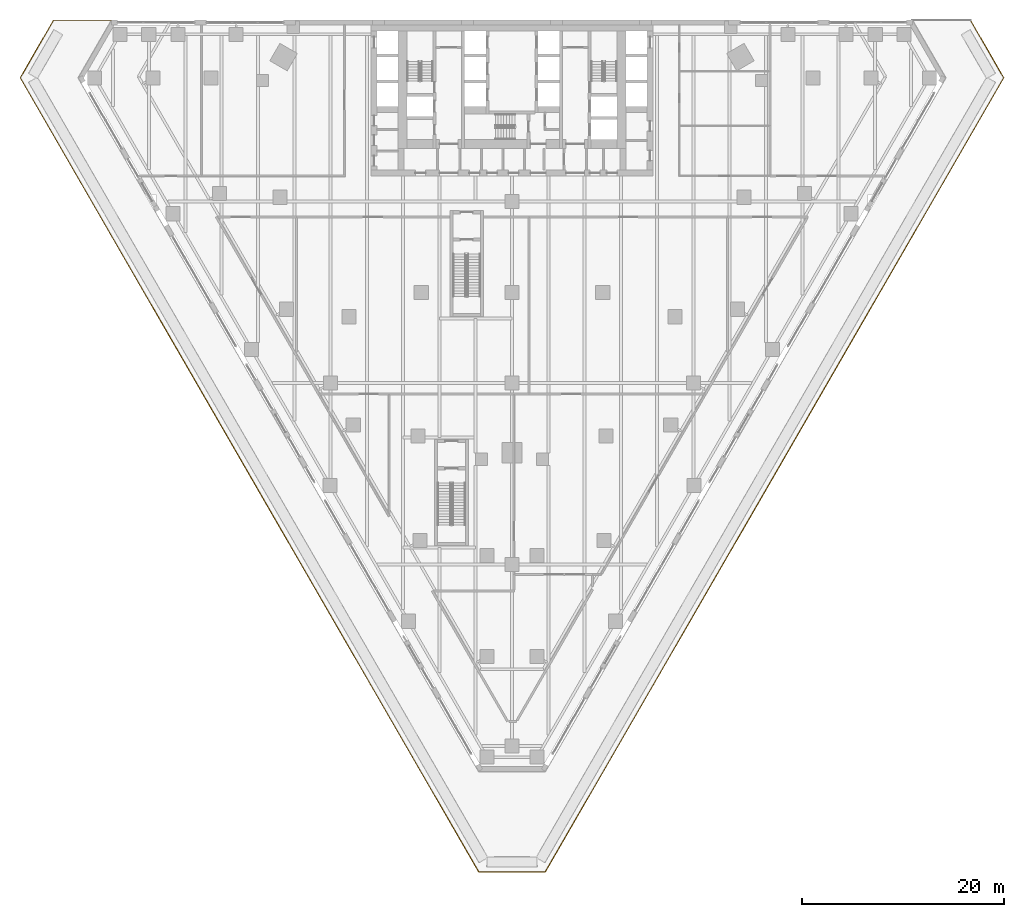
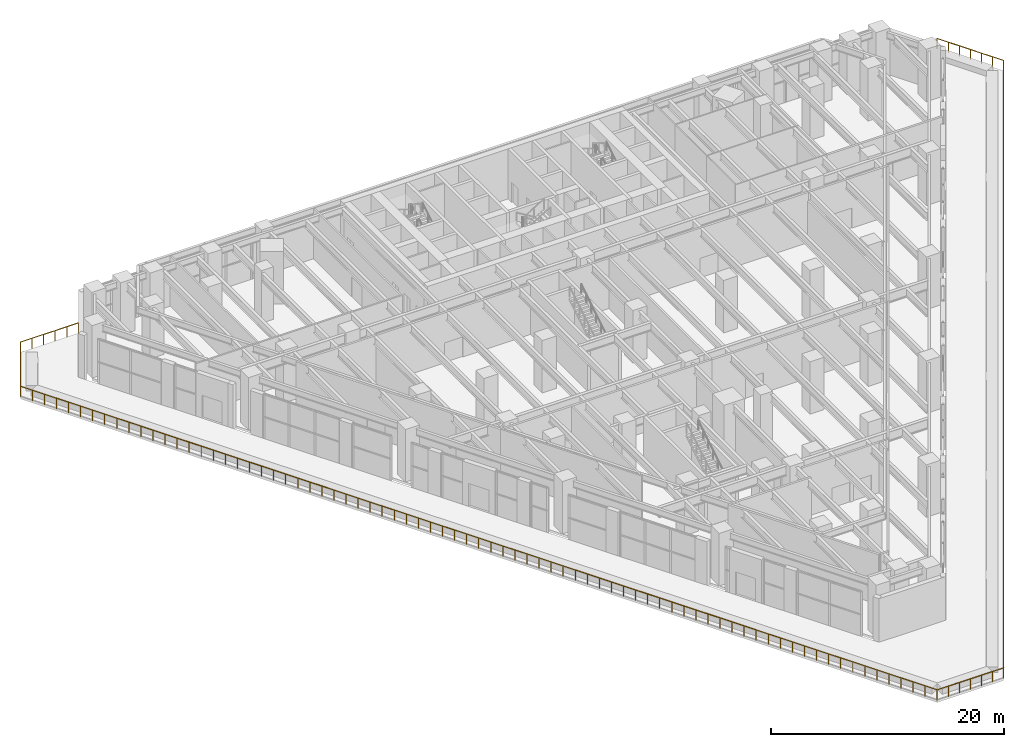
# One storey, part 27 of 30: 1 railing.
"""IFC4 building model written with IfcOpenShell, lengths in metres."""

from ifc_helpers import new_model, si_unit, direction, frame, origin, origin_2d, place, context, subcontext, project, spatial, circle, extrude, material, type_object, element, save


model = new_model("IFC4")

# Units and contexts
model_context = context("Model", 3, precision=1e-05, world=origin(), true_north=direction((0.0, 1.0)))
body_context = subcontext(model_context, "Body", "Model", "MODEL_VIEW")
ifc_project = project(units=[si_unit("LENGTHUNIT", "METRE"), si_unit("AREAUNIT", "SQUARE_METRE"), si_unit("VOLUMEUNIT", "CUBIC_METRE"), si_unit("PLANEANGLEUNIT", "RADIAN"), si_unit("MASSUNIT", "GRAM", prefix="KILO")], contexts=[model_context])

# Site, building, storey
site_placement = place(None, origin())
site = spatial("IfcSite", under=ifc_project, at=site_placement, CompositionType="ELEMENT")
building_placement = place(site_placement, origin())
building = spatial("IfcBuilding", under=site, at=building_placement, Name="Aloe Facet Convention Tower", CompositionType="ELEMENT")
storey_placement = place(building_placement, frame((0.0, 0.0, 19.5)))
storey = spatial("IfcBuildingStorey", under=building, at=storey_placement, Name="L03", CompositionType="ELEMENT", Elevation=19.5)

# Railing
ifc_material = material(Name="Steel S355, bronze oxide finish", Category="steel")
railing_type = type_object("IfcRailingType", Name="EV-GUARD-TERR", PredefinedType="GUARDRAIL", material=ifc_material)
railing_placement = place(storey_placement, frame((125.493896484375, 135.0, 0.0)))
element("IfcRailing", 1, at=railing_placement, inside=storey, type_object=railing_type, Name="GUARD PT-L03-1-1", PredefinedType="GUARDRAIL", context=body_context, shape_type="SweptSolid", body=[
    extrude(circle(Radius=0.02392578125, at=origin_2d()), frame((0.0, 0.0, 1.076171875), z_axis=(0.500002094529, -0.866024194504, 0.0), x_axis=(0.866024194504, 0.500002094529, 0.0)), (0.0, 0.0, 1.0), 6.60009765625),
    extrude(circle(Radius=0.02392578125, at=origin_2d()), frame((3.300048828125, -5.7158203125, 1.076171875), z_axis=(-0.499999469763, -0.866025709916, 0.0), x_axis=(0.866025709916, -0.499999469763, 0.0)), (0.0, 0.0, 1.0), 90.98779296875),
    extrude(circle(Radius=0.02392578125, at=origin_2d()), frame((-42.19384765625, -84.513671875, 1.076171875), z_axis=(-1.0, 0.0, 0.0), x_axis=(0.0, -1.0, 0.0)), (0.0, 0.0, 1.0), 6.60009765625),
    extrude(circle(Radius=0.02392578125, at=origin_2d()), frame((-48.7939453125, -84.513671875, 1.076171875), z_axis=(-0.499999469763, 0.866025709916, 0.0), x_axis=(-0.866025709916, -0.499999469763, 0.0)), (0.0, 0.0, 1.0), 90.98779296875),
    extrude(circle(Radius=0.02392578125, at=origin_2d()), frame((-94.287841796875, -5.7158203125, 1.076171875), z_axis=(0.500002094529, 0.866024194504, 0.0), x_axis=(-0.866024194504, 0.500002094529, 0.0)), (0.0, 0.0, 1.0), 6.60009765625),
    extrude(circle(Radius=0.02392578125, at=origin_2d()), frame((-90.98779296875, 0.0, 1.076171875), z_axis=(1.0, 0.0, 0.0), x_axis=(0.0, 1.0, 0.0)), (0.0, 0.0, 1.0), 5.7734375),
    extrude(circle(Radius=0.02099609375, at=origin_2d()), origin(), (0.0, 0.0, 1.0), 1.052001953125),
    extrude(circle(Radius=0.02099609375, at=origin_2d()), frame((0.550048828125, -0.95263671875, 0.0)), (0.0, 0.0, 1.0), 1.052001953125),
    extrude(circle(Radius=0.02099609375, at=origin_2d()), frame((1.10009765625, -1.9052734375, 0.0)), (0.0, 0.0, 1.0), 1.052001953125),
    extrude(circle(Radius=0.02099609375, at=origin_2d()), frame((1.64990234375, -2.85791015625, 0.0)), (0.0, 0.0, 1.0), 1.052001953125),
    extrude(circle(Radius=0.02099609375, at=origin_2d()), frame((2.199951171875, -3.810546875, 0.0)), (0.0, 0.0, 1.0), 1.052001953125),
    extrude(circle(Radius=0.02099609375, at=origin_2d()), frame((2.75, -4.76318359375, 0.0)), (0.0, 0.0, 1.0), 1.052001953125),
    extrude(circle(Radius=0.02099609375, at=origin_2d()), frame((3.300048828125, -5.7158203125, 0.0)), (0.0, 0.0, 1.0), 1.052001953125),
    extrude(circle(Radius=0.02099609375, at=origin_2d()), frame((2.701416015625, -6.752685546875, 0.0)), (0.0, 0.0, 1.0), 1.052001953125),
    extrude(circle(Radius=0.02099609375, at=origin_2d()), frame((2.102783203125, -7.78955078125, 0.0)), (0.0, 0.0, 1.0), 1.052001953125),
    extrude(circle(Radius=0.02099609375, at=origin_2d()), frame((1.504150390625, -8.826171875, 0.0)), (0.0, 0.0, 1.0), 1.052001953125),
    extrude(circle(Radius=0.02099609375, at=origin_2d()), frame((0.905517578125, -9.863037109375, 0.0)), (0.0, 0.0, 1.0), 1.052001953125),
    extrude(circle(Radius=0.02099609375, at=origin_2d()), frame((0.30712890625, -10.89990234375, 0.0)), (0.0, 0.0, 1.0), 1.052001953125),
    extrude(circle(Radius=0.02099609375, at=origin_2d()), frame((-0.29150390625, -11.936767578125, 0.0)), (0.0, 0.0, 1.0), 1.052001953125),
    extrude(circle(Radius=0.02099609375, at=origin_2d()), frame((-0.89013671875, -12.9736328125, 0.0)), (0.0, 0.0, 1.0), 1.052001953125),
    extrude(circle(Radius=0.02099609375, at=origin_2d()), frame((-1.48876953125, -14.01025390625, 0.0)), (0.0, 0.0, 1.0), 1.052001953125),
    extrude(circle(Radius=0.02099609375, at=origin_2d()), frame((-2.08740234375, -15.047119140625, 0.0)), (0.0, 0.0, 1.0), 1.052001953125),
    extrude(circle(Radius=0.02099609375, at=origin_2d()), frame((-2.68603515625, -16.083984375, 0.0)), (0.0, 0.0, 1.0), 1.052001953125),
    extrude(circle(Radius=0.02099609375, at=origin_2d()), frame((-3.28466796875, -17.120849609375, 0.0)), (0.0, 0.0, 1.0), 1.052001953125),
    extrude(circle(Radius=0.02099609375, at=origin_2d()), frame((-3.88330078125, -18.157470703125, 0.0)), (0.0, 0.0, 1.0), 1.052001953125),
    extrude(circle(Radius=0.02099609375, at=origin_2d()), frame((-4.481689453125, -19.1943359375, 0.0)), (0.0, 0.0, 1.0), 1.052001953125),
    extrude(circle(Radius=0.02099609375, at=origin_2d()), frame((-5.080322265625, -20.231201171875, 0.0)), (0.0, 0.0, 1.0), 1.052001953125),
    extrude(circle(Radius=0.02099609375, at=origin_2d()), frame((-5.678955078125, -21.26806640625, 0.0)), (0.0, 0.0, 1.0), 1.052001953125),
    extrude(circle(Radius=0.02099609375, at=origin_2d()), frame((-6.277587890625, -22.304931640625, 0.0)), (0.0, 0.0, 1.0), 1.052001953125),
    extrude(circle(Radius=0.02099609375, at=origin_2d()), frame((-6.876220703125, -23.341552734375, 0.0)), (0.0, 0.0, 1.0), 1.052001953125),
    extrude(circle(Radius=0.02099609375, at=origin_2d()), frame((-7.474853515625, -24.37841796875, 0.0)), (0.0, 0.0, 1.0), 1.052001953125),
    extrude(circle(Radius=0.02099609375, at=origin_2d()), frame((-8.073486328125, -25.415283203125, 0.0)), (0.0, 0.0, 1.0), 1.052001953125),
    extrude(circle(Radius=0.02099609375, at=origin_2d()), frame((-8.672119140625, -26.4521484375, 0.0)), (0.0, 0.0, 1.0), 1.052001953125),
    extrude(circle(Radius=0.02099609375, at=origin_2d()), frame((-9.270751953125, -27.489013671875, 0.0)), (0.0, 0.0, 1.0), 1.052001953125),
    extrude(circle(Radius=0.02099609375, at=origin_2d()), frame((-9.869140625, -28.525634765625, 0.0)), (0.0, 0.0, 1.0), 1.052001953125),
    extrude(circle(Radius=0.02099609375, at=origin_2d()), frame((-10.4677734375, -29.5625, 0.0)), (0.0, 0.0, 1.0), 1.052001953125),
    extrude(circle(Radius=0.02099609375, at=origin_2d()), frame((-11.06640625, -30.599365234375, 0.0)), (0.0, 0.0, 1.0), 1.052001953125),
    extrude(circle(Radius=0.02099609375, at=origin_2d()), frame((-11.6650390625, -31.63623046875, 0.0)), (0.0, 0.0, 1.0), 1.052001953125),
    extrude(circle(Radius=0.02099609375, at=origin_2d()), frame((-12.263671875, -32.673095703125, 0.0)), (0.0, 0.0, 1.0), 1.052001953125),
    extrude(circle(Radius=0.02099609375, at=origin_2d()), frame((-12.8623046875, -33.709716796875, 0.0)), (0.0, 0.0, 1.0), 1.052001953125),
    extrude(circle(Radius=0.02099609375, at=origin_2d()), frame((-13.4609375, -34.74658203125, 0.0)), (0.0, 0.0, 1.0), 1.052001953125),
    extrude(circle(Radius=0.02099609375, at=origin_2d()), frame((-14.0595703125, -35.783447265625, 0.0)), (0.0, 0.0, 1.0), 1.052001953125),
    extrude(circle(Radius=0.02099609375, at=origin_2d()), frame((-14.657958984375, -36.8203125, 0.0)), (0.0, 0.0, 1.0), 1.052001953125),
    extrude(circle(Radius=0.02099609375, at=origin_2d()), frame((-15.256591796875, -37.85693359375, 0.0)), (0.0, 0.0, 1.0), 1.052001953125),
    extrude(circle(Radius=0.02099609375, at=origin_2d()), frame((-15.855224609375, -38.893798828125, 0.0)), (0.0, 0.0, 1.0), 1.052001953125),
    extrude(circle(Radius=0.02099609375, at=origin_2d()), frame((-16.453857421875, -39.9306640625, 0.0)), (0.0, 0.0, 1.0), 1.052001953125),
    extrude(circle(Radius=0.02099609375, at=origin_2d()), frame((-17.052490234375, -40.967529296875, 0.0)), (0.0, 0.0, 1.0), 1.052001953125),
    extrude(circle(Radius=0.02099609375, at=origin_2d()), frame((-17.651123046875, -42.00439453125, 0.0)), (0.0, 0.0, 1.0), 1.052001953125),
    extrude(circle(Radius=0.02099609375, at=origin_2d()), frame((-18.249755859375, -43.041015625, 0.0)), (0.0, 0.0, 1.0), 1.052001953125),
    extrude(circle(Radius=0.02099609375, at=origin_2d()), frame((-18.848388671875, -44.077880859375, 0.0)), (0.0, 0.0, 1.0), 1.052001953125),
    extrude(circle(Radius=0.02099609375, at=origin_2d()), frame((-19.44677734375, -45.11474609375, 0.0)), (0.0, 0.0, 1.0), 1.052001953125),
    extrude(circle(Radius=0.02099609375, at=origin_2d()), frame((-20.04541015625, -46.151611328125, 0.0)), (0.0, 0.0, 1.0), 1.052001953125),
    extrude(circle(Radius=0.02099609375, at=origin_2d()), frame((-20.64404296875, -47.1884765625, 0.0)), (0.0, 0.0, 1.0), 1.052001953125),
    extrude(circle(Radius=0.02099609375, at=origin_2d()), frame((-21.24267578125, -48.22509765625, 0.0)), (0.0, 0.0, 1.0), 1.052001953125),
    extrude(circle(Radius=0.02099609375, at=origin_2d()), frame((-21.84130859375, -49.261962890625, 0.0)), (0.0, 0.0, 1.0), 1.052001953125),
    extrude(circle(Radius=0.02099609375, at=origin_2d()), frame((-22.43994140625, -50.298828125, 0.0)), (0.0, 0.0, 1.0), 1.052001953125),
    extrude(circle(Radius=0.02099609375, at=origin_2d()), frame((-23.03857421875, -51.335693359375, 0.0)), (0.0, 0.0, 1.0), 1.052001953125),
    extrude(circle(Radius=0.02099609375, at=origin_2d()), frame((-23.63720703125, -52.37255859375, 0.0)), (0.0, 0.0, 1.0), 1.052001953125),
    extrude(circle(Radius=0.02099609375, at=origin_2d()), frame((-24.23583984375, -53.4091796875, 0.0)), (0.0, 0.0, 1.0), 1.052001953125),
    extrude(circle(Radius=0.02099609375, at=origin_2d()), frame((-24.834228515625, -54.446044921875, 0.0)), (0.0, 0.0, 1.0), 1.052001953125),
    extrude(circle(Radius=0.02099609375, at=origin_2d()), frame((-25.432861328125, -55.48291015625, 0.0)), (0.0, 0.0, 1.0), 1.052001953125),
    extrude(circle(Radius=0.02099609375, at=origin_2d()), frame((-26.031494140625, -56.519775390625, 0.0)), (0.0, 0.0, 1.0), 1.052001953125),
    extrude(circle(Radius=0.02099609375, at=origin_2d()), frame((-26.630126953125, -57.556396484375, 0.0)), (0.0, 0.0, 1.0), 1.052001953125),
    extrude(circle(Radius=0.02099609375, at=origin_2d()), frame((-27.228759765625, -58.59326171875, 0.0)), (0.0, 0.0, 1.0), 1.052001953125),
    extrude(circle(Radius=0.02099609375, at=origin_2d()), frame((-27.827392578125, -59.630126953125, 0.0)), (0.0, 0.0, 1.0), 1.052001953125),
    extrude(circle(Radius=0.02099609375, at=origin_2d()), frame((-28.426025390625, -60.6669921875, 0.0)), (0.0, 0.0, 1.0), 1.052001953125),
    extrude(circle(Radius=0.02099609375, at=origin_2d()), frame((-29.024658203125, -61.703857421875, 0.0)), (0.0, 0.0, 1.0), 1.052001953125),
    extrude(circle(Radius=0.02099609375, at=origin_2d()), frame((-29.623046875, -62.740478515625, 0.0)), (0.0, 0.0, 1.0), 1.052001953125),
    extrude(circle(Radius=0.02099609375, at=origin_2d()), frame((-30.2216796875, -63.77734375, 0.0)), (0.0, 0.0, 1.0), 1.052001953125),
    extrude(circle(Radius=0.02099609375, at=origin_2d()), frame((-30.8203125, -64.814208984375, 0.0)), (0.0, 0.0, 1.0), 1.052001953125),
    extrude(circle(Radius=0.02099609375, at=origin_2d()), frame((-31.4189453125, -65.85107421875, 0.0)), (0.0, 0.0, 1.0), 1.052001953125),
    extrude(circle(Radius=0.02099609375, at=origin_2d()), frame((-32.017578125, -66.887939453125, 0.0)), (0.0, 0.0, 1.0), 1.052001953125),
    extrude(circle(Radius=0.02099609375, at=origin_2d()), frame((-32.6162109375, -67.924560546875, 0.0)), (0.0, 0.0, 1.0), 1.052001953125),
    extrude(circle(Radius=0.02099609375, at=origin_2d()), frame((-33.21484375, -68.96142578125, 0.0)), (0.0, 0.0, 1.0), 1.052001953125),
    extrude(circle(Radius=0.02099609375, at=origin_2d()), frame((-33.8134765625, -69.998291015625, 0.0)), (0.0, 0.0, 1.0), 1.052001953125),
    extrude(circle(Radius=0.02099609375, at=origin_2d()), frame((-34.412109375, -71.03515625, 0.0)), (0.0, 0.0, 1.0), 1.052001953125),
    extrude(circle(Radius=0.02099609375, at=origin_2d()), frame((-35.010498046875, -72.072021484375, 0.0)), (0.0, 0.0, 1.0), 1.052001953125),
    extrude(circle(Radius=0.02099609375, at=origin_2d()), frame((-35.609130859375, -73.108642578125, 0.0)), (0.0, 0.0, 1.0), 1.052001953125),
    extrude(circle(Radius=0.02099609375, at=origin_2d()), frame((-36.207763671875, -74.1455078125, 0.0)), (0.0, 0.0, 1.0), 1.052001953125),
    extrude(circle(Radius=0.02099609375, at=origin_2d()), frame((-36.806396484375, -75.182373046875, 0.0)), (0.0, 0.0, 1.0), 1.052001953125),
    extrude(circle(Radius=0.02099609375, at=origin_2d()), frame((-37.405029296875, -76.21923828125, 0.0)), (0.0, 0.0, 1.0), 1.052001953125),
    extrude(circle(Radius=0.02099609375, at=origin_2d()), frame((-38.003662109375, -77.255859375, 0.0)), (0.0, 0.0, 1.0), 1.052001953125),
    extrude(circle(Radius=0.02099609375, at=origin_2d()), frame((-38.602294921875, -78.292724609375, 0.0)), (0.0, 0.0, 1.0), 1.052001953125),
    extrude(circle(Radius=0.02099609375, at=origin_2d()), frame((-39.200927734375, -79.32958984375, 0.0)), (0.0, 0.0, 1.0), 1.052001953125),
    extrude(circle(Radius=0.02099609375, at=origin_2d()), frame((-39.79931640625, -80.366455078125, 0.0)), (0.0, 0.0, 1.0), 1.052001953125),
    extrude(circle(Radius=0.02099609375, at=origin_2d()), frame((-40.39794921875, -81.4033203125, 0.0)), (0.0, 0.0, 1.0), 1.052001953125),
    extrude(circle(Radius=0.02099609375, at=origin_2d()), frame((-40.99658203125, -82.43994140625, 0.0)), (0.0, 0.0, 1.0), 1.052001953125),
    extrude(circle(Radius=0.02099609375, at=origin_2d()), frame((-41.59521484375, -83.476806640625, 0.0)), (0.0, 0.0, 1.0), 1.052001953125),
    extrude(circle(Radius=0.02099609375, at=origin_2d()), frame((-42.19384765625, -84.513671875, 0.0)), (0.0, 0.0, 1.0), 1.052001953125),
    extrude(circle(Radius=0.02099609375, at=origin_2d()), frame((-43.2939453125, -84.513671875, 0.0)), (0.0, 0.0, 1.0), 1.052001953125),
    extrude(circle(Radius=0.02099609375, at=origin_2d()), frame((-44.393798828125, -84.513671875, 0.0)), (0.0, 0.0, 1.0), 1.052001953125),
    extrude(circle(Radius=0.02099609375, at=origin_2d()), frame((-45.493896484375, -84.513671875, 0.0)), (0.0, 0.0, 1.0), 1.052001953125),
    extrude(circle(Radius=0.02099609375, at=origin_2d()), frame((-46.593994140625, -84.513671875, 0.0)), (0.0, 0.0, 1.0), 1.052001953125),
    extrude(circle(Radius=0.02099609375, at=origin_2d()), frame((-47.69384765625, -84.513671875, 0.0)), (0.0, 0.0, 1.0), 1.052001953125),
    extrude(circle(Radius=0.02099609375, at=origin_2d()), frame((-48.7939453125, -84.513671875, 0.0)), (0.0, 0.0, 1.0), 1.052001953125),
    extrude(circle(Radius=0.02099609375, at=origin_2d()), frame((-49.392578125, -83.476806640625, 0.0)), (0.0, 0.0, 1.0), 1.052001953125),
    extrude(circle(Radius=0.02099609375, at=origin_2d()), frame((-49.9912109375, -82.43994140625, 0.0)), (0.0, 0.0, 1.0), 1.052001953125),
    extrude(circle(Radius=0.02099609375, at=origin_2d()), frame((-50.58984375, -81.4033203125, 0.0)), (0.0, 0.0, 1.0), 1.052001953125),
    extrude(circle(Radius=0.02099609375, at=origin_2d()), frame((-51.1884765625, -80.366455078125, 0.0)), (0.0, 0.0, 1.0), 1.052001953125),
    extrude(circle(Radius=0.02099609375, at=origin_2d()), frame((-51.786865234375, -79.32958984375, 0.0)), (0.0, 0.0, 1.0), 1.052001953125),
    extrude(circle(Radius=0.02099609375, at=origin_2d()), frame((-52.385498046875, -78.292724609375, 0.0)), (0.0, 0.0, 1.0), 1.052001953125),
    extrude(circle(Radius=0.02099609375, at=origin_2d()), frame((-52.984130859375, -77.255859375, 0.0)), (0.0, 0.0, 1.0), 1.052001953125),
    extrude(circle(Radius=0.02099609375, at=origin_2d()), frame((-53.582763671875, -76.21923828125, 0.0)), (0.0, 0.0, 1.0), 1.052001953125),
    extrude(circle(Radius=0.02099609375, at=origin_2d()), frame((-54.181396484375, -75.182373046875, 0.0)), (0.0, 0.0, 1.0), 1.052001953125),
    extrude(circle(Radius=0.02099609375, at=origin_2d()), frame((-54.780029296875, -74.1455078125, 0.0)), (0.0, 0.0, 1.0), 1.052001953125),
    extrude(circle(Radius=0.02099609375, at=origin_2d()), frame((-55.378662109375, -73.108642578125, 0.0)), (0.0, 0.0, 1.0), 1.052001953125),
    extrude(circle(Radius=0.02099609375, at=origin_2d()), frame((-55.977294921875, -72.072021484375, 0.0)), (0.0, 0.0, 1.0), 1.052001953125),
    extrude(circle(Radius=0.02099609375, at=origin_2d()), frame((-56.57568359375, -71.03515625, 0.0)), (0.0, 0.0, 1.0), 1.052001953125),
    extrude(circle(Radius=0.02099609375, at=origin_2d()), frame((-57.17431640625, -69.998291015625, 0.0)), (0.0, 0.0, 1.0), 1.052001953125),
    extrude(circle(Radius=0.02099609375, at=origin_2d()), frame((-57.77294921875, -68.96142578125, 0.0)), (0.0, 0.0, 1.0), 1.052001953125),
    extrude(circle(Radius=0.02099609375, at=origin_2d()), frame((-58.37158203125, -67.924560546875, 0.0)), (0.0, 0.0, 1.0), 1.052001953125),
    extrude(circle(Radius=0.02099609375, at=origin_2d()), frame((-58.97021484375, -66.887939453125, 0.0)), (0.0, 0.0, 1.0), 1.052001953125),
    extrude(circle(Radius=0.02099609375, at=origin_2d()), frame((-59.56884765625, -65.85107421875, 0.0)), (0.0, 0.0, 1.0), 1.052001953125),
    extrude(circle(Radius=0.02099609375, at=origin_2d()), frame((-60.16748046875, -64.814208984375, 0.0)), (0.0, 0.0, 1.0), 1.052001953125),
    extrude(circle(Radius=0.02099609375, at=origin_2d()), frame((-60.76611328125, -63.77734375, 0.0)), (0.0, 0.0, 1.0), 1.052001953125),
    extrude(circle(Radius=0.02099609375, at=origin_2d()), frame((-61.36474609375, -62.740478515625, 0.0)), (0.0, 0.0, 1.0), 1.052001953125),
    extrude(circle(Radius=0.02099609375, at=origin_2d()), frame((-61.963134765625, -61.703857421875, 0.0)), (0.0, 0.0, 1.0), 1.052001953125),
    extrude(circle(Radius=0.02099609375, at=origin_2d()), frame((-62.561767578125, -60.6669921875, 0.0)), (0.0, 0.0, 1.0), 1.052001953125),
    extrude(circle(Radius=0.02099609375, at=origin_2d()), frame((-63.160400390625, -59.630126953125, 0.0)), (0.0, 0.0, 1.0), 1.052001953125),
    extrude(circle(Radius=0.02099609375, at=origin_2d()), frame((-63.759033203125, -58.59326171875, 0.0)), (0.0, 0.0, 1.0), 1.052001953125),
    extrude(circle(Radius=0.02099609375, at=origin_2d()), frame((-64.357666015625, -57.556396484375, 0.0)), (0.0, 0.0, 1.0), 1.052001953125),
    extrude(circle(Radius=0.02099609375, at=origin_2d()), frame((-64.956298828125, -56.519775390625, 0.0)), (0.0, 0.0, 1.0), 1.052001953125),
    extrude(circle(Radius=0.02099609375, at=origin_2d()), frame((-65.554931640625, -55.48291015625, 0.0)), (0.0, 0.0, 1.0), 1.052001953125),
    extrude(circle(Radius=0.02099609375, at=origin_2d()), frame((-66.153564453125, -54.446044921875, 0.0)), (0.0, 0.0, 1.0), 1.052001953125),
    extrude(circle(Radius=0.02099609375, at=origin_2d()), frame((-66.751953125, -53.4091796875, 0.0)), (0.0, 0.0, 1.0), 1.052001953125),
    extrude(circle(Radius=0.02099609375, at=origin_2d()), frame((-67.3505859375, -52.37255859375, 0.0)), (0.0, 0.0, 1.0), 1.052001953125),
    extrude(circle(Radius=0.02099609375, at=origin_2d()), frame((-67.94921875, -51.335693359375, 0.0)), (0.0, 0.0, 1.0), 1.052001953125),
    extrude(circle(Radius=0.02099609375, at=origin_2d()), frame((-68.5478515625, -50.298828125, 0.0)), (0.0, 0.0, 1.0), 1.052001953125),
    extrude(circle(Radius=0.02099609375, at=origin_2d()), frame((-69.146484375, -49.261962890625, 0.0)), (0.0, 0.0, 1.0), 1.052001953125),
    extrude(circle(Radius=0.02099609375, at=origin_2d()), frame((-69.7451171875, -48.22509765625, 0.0)), (0.0, 0.0, 1.0), 1.052001953125),
    extrude(circle(Radius=0.02099609375, at=origin_2d()), frame((-70.34375, -47.1884765625, 0.0)), (0.0, 0.0, 1.0), 1.052001953125),
    extrude(circle(Radius=0.02099609375, at=origin_2d()), frame((-70.9423828125, -46.151611328125, 0.0)), (0.0, 0.0, 1.0), 1.052001953125),
    extrude(circle(Radius=0.02099609375, at=origin_2d()), frame((-71.541015625, -45.11474609375, 0.0)), (0.0, 0.0, 1.0), 1.052001953125),
    extrude(circle(Radius=0.02099609375, at=origin_2d()), frame((-72.139404296875, -44.077880859375, 0.0)), (0.0, 0.0, 1.0), 1.052001953125),
    extrude(circle(Radius=0.02099609375, at=origin_2d()), frame((-72.738037109375, -43.041015625, 0.0)), (0.0, 0.0, 1.0), 1.052001953125),
    extrude(circle(Radius=0.02099609375, at=origin_2d()), frame((-73.336669921875, -42.00439453125, 0.0)), (0.0, 0.0, 1.0), 1.052001953125),
    extrude(circle(Radius=0.02099609375, at=origin_2d()), frame((-73.935302734375, -40.967529296875, 0.0)), (0.0, 0.0, 1.0), 1.052001953125),
    extrude(circle(Radius=0.02099609375, at=origin_2d()), frame((-74.533935546875, -39.9306640625, 0.0)), (0.0, 0.0, 1.0), 1.052001953125),
    extrude(circle(Radius=0.02099609375, at=origin_2d()), frame((-75.132568359375, -38.893798828125, 0.0)), (0.0, 0.0, 1.0), 1.052001953125),
    extrude(circle(Radius=0.02099609375, at=origin_2d()), frame((-75.731201171875, -37.85693359375, 0.0)), (0.0, 0.0, 1.0), 1.052001953125),
    extrude(circle(Radius=0.02099609375, at=origin_2d()), frame((-76.329833984375, -36.8203125, 0.0)), (0.0, 0.0, 1.0), 1.052001953125),
    extrude(circle(Radius=0.02099609375, at=origin_2d()), frame((-76.92822265625, -35.783447265625, 0.0)), (0.0, 0.0, 1.0), 1.052001953125),
    extrude(circle(Radius=0.02099609375, at=origin_2d()), frame((-77.52685546875, -34.74658203125, 0.0)), (0.0, 0.0, 1.0), 1.052001953125),
    extrude(circle(Radius=0.02099609375, at=origin_2d()), frame((-78.12548828125, -33.709716796875, 0.0)), (0.0, 0.0, 1.0), 1.052001953125),
    extrude(circle(Radius=0.02099609375, at=origin_2d()), frame((-78.72412109375, -32.673095703125, 0.0)), (0.0, 0.0, 1.0), 1.052001953125),
    extrude(circle(Radius=0.02099609375, at=origin_2d()), frame((-79.32275390625, -31.63623046875, 0.0)), (0.0, 0.0, 1.0), 1.052001953125),
    extrude(circle(Radius=0.02099609375, at=origin_2d()), frame((-79.92138671875, -30.599365234375, 0.0)), (0.0, 0.0, 1.0), 1.052001953125),
    extrude(circle(Radius=0.02099609375, at=origin_2d()), frame((-80.52001953125, -29.5625, 0.0)), (0.0, 0.0, 1.0), 1.052001953125),
    extrude(circle(Radius=0.02099609375, at=origin_2d()), frame((-81.11865234375, -28.525634765625, 0.0)), (0.0, 0.0, 1.0), 1.052001953125),
    extrude(circle(Radius=0.02099609375, at=origin_2d()), frame((-81.717041015625, -27.489013671875, 0.0)), (0.0, 0.0, 1.0), 1.052001953125),
    extrude(circle(Radius=0.02099609375, at=origin_2d()), frame((-82.315673828125, -26.4521484375, 0.0)), (0.0, 0.0, 1.0), 1.052001953125),
    extrude(circle(Radius=0.02099609375, at=origin_2d()), frame((-82.914306640625, -25.415283203125, 0.0)), (0.0, 0.0, 1.0), 1.052001953125),
    extrude(circle(Radius=0.02099609375, at=origin_2d()), frame((-83.512939453125, -24.37841796875, 0.0)), (0.0, 0.0, 1.0), 1.052001953125),
    extrude(circle(Radius=0.02099609375, at=origin_2d()), frame((-84.111572265625, -23.341552734375, 0.0)), (0.0, 0.0, 1.0), 1.052001953125),
    extrude(circle(Radius=0.02099609375, at=origin_2d()), frame((-84.710205078125, -22.304931640625, 0.0)), (0.0, 0.0, 1.0), 1.052001953125),
    extrude(circle(Radius=0.02099609375, at=origin_2d()), frame((-85.308837890625, -21.26806640625, 0.0)), (0.0, 0.0, 1.0), 1.052001953125),
    extrude(circle(Radius=0.02099609375, at=origin_2d()), frame((-85.907470703125, -20.231201171875, 0.0)), (0.0, 0.0, 1.0), 1.052001953125),
    extrude(circle(Radius=0.02099609375, at=origin_2d()), frame((-86.506103515625, -19.1943359375, 0.0)), (0.0, 0.0, 1.0), 1.052001953125),
    extrude(circle(Radius=0.02099609375, at=origin_2d()), frame((-87.1044921875, -18.157470703125, 0.0)), (0.0, 0.0, 1.0), 1.052001953125),
    extrude(circle(Radius=0.02099609375, at=origin_2d()), frame((-87.703125, -17.120849609375, 0.0)), (0.0, 0.0, 1.0), 1.052001953125),
    extrude(circle(Radius=0.02099609375, at=origin_2d()), frame((-88.3017578125, -16.083984375, 0.0)), (0.0, 0.0, 1.0), 1.052001953125),
    extrude(circle(Radius=0.02099609375, at=origin_2d()), frame((-88.900390625, -15.047119140625, 0.0)), (0.0, 0.0, 1.0), 1.052001953125),
    extrude(circle(Radius=0.02099609375, at=origin_2d()), frame((-89.4990234375, -14.01025390625, 0.0)), (0.0, 0.0, 1.0), 1.052001953125),
    extrude(circle(Radius=0.02099609375, at=origin_2d()), frame((-90.09765625, -12.9736328125, 0.0)), (0.0, 0.0, 1.0), 1.052001953125),
    extrude(circle(Radius=0.02099609375, at=origin_2d()), frame((-90.6962890625, -11.936767578125, 0.0)), (0.0, 0.0, 1.0), 1.052001953125),
    extrude(circle(Radius=0.02099609375, at=origin_2d()), frame((-91.294921875, -10.89990234375, 0.0)), (0.0, 0.0, 1.0), 1.052001953125),
    extrude(circle(Radius=0.02099609375, at=origin_2d()), frame((-91.893310546875, -9.863037109375, 0.0)), (0.0, 0.0, 1.0), 1.052001953125),
    extrude(circle(Radius=0.02099609375, at=origin_2d()), frame((-92.491943359375, -8.826171875, 0.0)), (0.0, 0.0, 1.0), 1.052001953125),
    extrude(circle(Radius=0.02099609375, at=origin_2d()), frame((-93.090576171875, -7.78955078125, 0.0)), (0.0, 0.0, 1.0), 1.052001953125),
    extrude(circle(Radius=0.02099609375, at=origin_2d()), frame((-93.689208984375, -6.752685546875, 0.0)), (0.0, 0.0, 1.0), 1.052001953125),
    extrude(circle(Radius=0.02099609375, at=origin_2d()), frame((-94.287841796875, -5.7158203125, 0.0)), (0.0, 0.0, 1.0), 1.052001953125),
    extrude(circle(Radius=0.02099609375, at=origin_2d()), frame((-93.73779296875, -4.76318359375, 0.0)), (0.0, 0.0, 1.0), 1.052001953125),
    extrude(circle(Radius=0.02099609375, at=origin_2d()), frame((-93.187744140625, -3.810546875, 0.0)), (0.0, 0.0, 1.0), 1.052001953125),
    extrude(circle(Radius=0.02099609375, at=origin_2d()), frame((-92.6376953125, -2.85791015625, 0.0)), (0.0, 0.0, 1.0), 1.052001953125),
    extrude(circle(Radius=0.02099609375, at=origin_2d()), frame((-92.087890625, -1.9052734375, 0.0)), (0.0, 0.0, 1.0), 1.052001953125),
    extrude(circle(Radius=0.02099609375, at=origin_2d()), frame((-91.537841796875, -0.95263671875, 0.0)), (0.0, 0.0, 1.0), 1.052001953125),
    extrude(circle(Radius=0.02099609375, at=origin_2d()), frame((-90.98779296875, 0.0, 0.0)), (0.0, 0.0, 1.0), 1.052001953125),
    extrude(circle(Radius=0.02099609375, at=origin_2d()), frame((-89.8330078125, 0.0, 0.0)), (0.0, 0.0, 1.0), 1.052001953125),
    extrude(circle(Radius=0.02099609375, at=origin_2d()), frame((-88.678466796875, 0.0, 0.0)), (0.0, 0.0, 1.0), 1.052001953125),
    extrude(circle(Radius=0.02099609375, at=origin_2d()), frame((-87.523681640625, 0.0, 0.0)), (0.0, 0.0, 1.0), 1.052001953125),
    extrude(circle(Radius=0.02099609375, at=origin_2d()), frame((-86.369140625, 0.0, 0.0)), (0.0, 0.0, 1.0), 1.052001953125),
    extrude(circle(Radius=0.02099609375, at=origin_2d()), frame((-85.21435546875, 0.0, 0.0)), (0.0, 0.0, 1.0), 1.052001953125),
])

save(model, "model.ifc")
